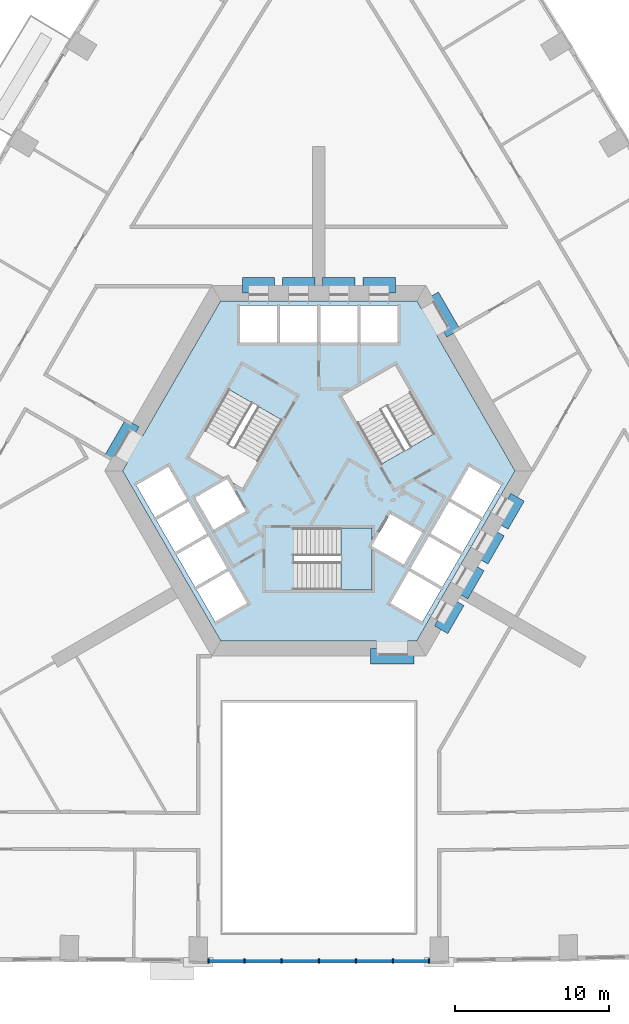
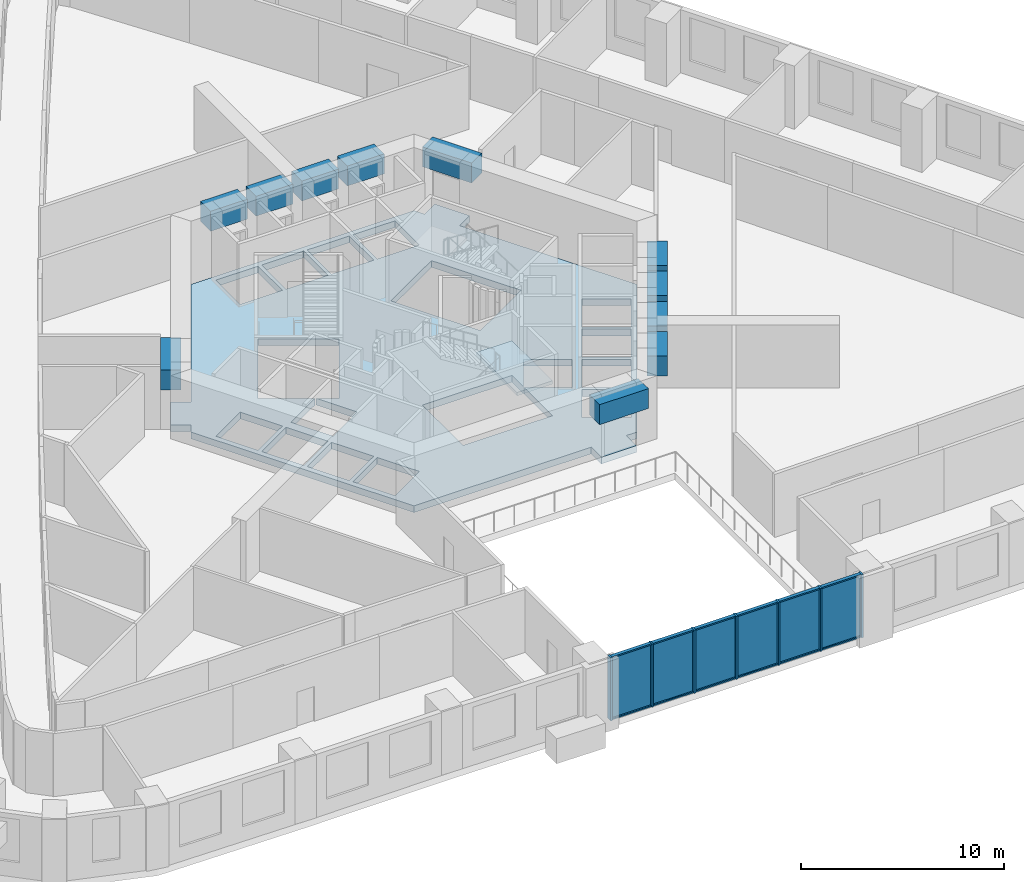
# One storey, part 2 of 16: 19 members, 11 beams, 6 plates, 2 slabs, 2 elements without a shape of their own.
"""IFC4 building model written with IfcOpenShell, lengths in metres."""

from ifc_helpers import new_model, si_unit, direction, frame, origin, origin_2d, place, context, subcontext, project, spatial, polyline, rectangle, outline, extrude, material, layer, layer_set, material_profile, profile_set, type_object, element, aggregate, save


model = new_model("IFC4")

# Units and contexts
model_context = context("Model", 3, precision=1e-05, world=origin(), true_north=direction((0.0, 1.0)))
body_context = subcontext(model_context, "Body", "Model", "MODEL_VIEW")
ifc_project = project(units=[si_unit("LENGTHUNIT", "METRE"), si_unit("AREAUNIT", "SQUARE_METRE"), si_unit("VOLUMEUNIT", "CUBIC_METRE"), si_unit("PLANEANGLEUNIT", "RADIAN"), si_unit("MASSUNIT", "GRAM", prefix="KILO")], contexts=[model_context])

# Site, building, storey
site_placement = place(None, origin())
site = spatial("IfcSite", under=ifc_project, at=site_placement, CompositionType="ELEMENT")
building_placement = place(site_placement, origin())
building = spatial("IfcBuilding", under=site, at=building_placement, Name="Entoto Arch Interchange Tower", CompositionType="ELEMENT")
storey_placement = place(building_placement, frame((0.0, 0.0, 68.60009765625)))
storey = spatial("IfcBuildingStorey", under=building, at=storey_placement, Name="L14", CompositionType="ELEMENT", Elevation=68.60009765625)

# Beams
ifc_material_1 = material(Name="Concrete C60/75", Category="concrete")
ifc_material_profile_1 = material_profile(ifc_material_1, rectangle(XDim=1.0, YDim=1.199951171875, at=origin_2d()))
ifc_profile_set_1 = profile_set([ifc_material_profile_1], Name="Concrete C60/75")
beam_type = type_object("IfcBeamType", Name="Coupling beam RC 1000x1200 C60/75", PredefinedType="BEAM", material=ifc_profile_set_1)
beam_1_placement = place(storey_placement, frame((8.717041015625, 11.402099609375, 3.0), z_axis=(-0.500200581029, 0.865909567298, 0.0), x_axis=(-0.865909567298, -0.500200581029, 0.0)))
element("IfcBeam", 1, at=beam_1_placement, inside=storey, type_object=beam_type, Name="Coupling beam NE L14", PredefinedType="BEAM", context=body_context, shape_type="SweptSolid", body=[
    extrude(rectangle(XDim=1.0, YDim=1.199951171875, at=origin_2d()), origin(), (0.0, 0.0, 1.0), 2.799072265625),
])
beam_2_placement = place(storey_placement, frame((4.949951171875, 14.5, 3.0), z_axis=(-1.0, 0.0, 0.0), x_axis=(0.0, -1.0, 0.0)))
element("IfcBeam", 2, at=beam_2_placement, inside=storey, type_object=beam_type, Name="Coupling beam N L14", PredefinedType="BEAM", context=body_context, shape_type="SweptSolid", body=[
    extrude(rectangle(XDim=1.0, YDim=1.199951171875, at=origin_2d()), origin(), (0.0, 0.0, 1.0), 2.099853515625),
])
for number, where, z_axis, x_axis, name in (
    (3, (2.35009765625, 14.5, 3.0), (-1.0, 0.0, 0.0), (0.0, -1.0, 0.0), "Coupling beam N L14"),
    (4, (-0.25, 14.5, 3.0), (-1.0, 0.0, 0.0), (0.0, -1.0, 0.0), "Coupling beam N L14"),
):
    element("IfcBeam", number, at=place(storey_placement, frame(where, z_axis=z_axis, x_axis=x_axis)), inside=storey, type_object=beam_type, Name=name, PredefinedType="BEAM", context=body_context, shape_type="SweptSolid", body=[
        extrude(rectangle(XDim=1.0, YDim=1.199951171875, at=origin_2d()), origin(), (0.0, 0.0, 1.0), 2.10009765625),
    ])
beam_3_placement = place(storey_placement, frame((-2.85009765625, 14.5, 3.0), z_axis=(-1.0, 0.0, 0.0), x_axis=(0.0, -1.0, 0.0)))
element("IfcBeam", 5, at=beam_3_placement, inside=storey, type_object=beam_type, Name="Coupling beam N L14", PredefinedType="BEAM", context=body_context, shape_type="SweptSolid", body=[
    extrude(rectangle(XDim=1.0, YDim=1.199951171875, at=origin_2d()), origin(), (0.0, 0.0, 1.0), 2.099853515625),
])
beam_4_placement = place(storey_placement, frame((-12.06689453125, 5.597900390625, 3.0), z_axis=(-0.500200581029, -0.865909567298, 0.0), x_axis=(0.865909567298, -0.500200581029, 0.0)))
element("IfcBeam", 6, at=beam_4_placement, inside=storey, type_object=beam_type, Name="Coupling beam NW L14", PredefinedType="BEAM", context=body_context, shape_type="SweptSolid", body=[
    extrude(rectangle(XDim=1.0, YDim=1.199951171875, at=origin_2d()), origin(), (0.0, 0.0, 1.0), 2.799072265625),
])
beam_5_placement = place(storey_placement, frame((3.35009765625, -9.5, 3.0), z_axis=(1.0, 0.0, 0.0), x_axis=(0.0, 1.0, 0.0)))
element("IfcBeam", 7, at=beam_5_placement, inside=storey, type_object=beam_type, Name="Coupling beam S L14", PredefinedType="BEAM", context=body_context, shape_type="SweptSolid", body=[
    extrude(rectangle(XDim=1.0, YDim=1.199951171875, at=origin_2d()), origin(), (0.0, 0.0, 1.0), 2.7998046875),
])
for number, where, z_axis, x_axis, name in (
    (8, (7.9169921875, -7.785888671875, 3.0), (0.500178781653, 0.865922159541, 0.0), (-0.865922159541, 0.500178781653, 0.0), "Coupling beam SE L14"),
    (9, (9.217041015625, -5.534912109375, 3.0), (0.500178781653, 0.865922159541, 0.0), (-0.865922159541, 0.500178781653, 0.0), "Coupling beam SE L14"),
):
    element("IfcBeam", number, at=place(storey_placement, frame(where, z_axis=z_axis, x_axis=x_axis)), inside=storey, type_object=beam_type, Name=name, PredefinedType="BEAM", context=body_context, shape_type="SweptSolid", body=[
        extrude(rectangle(XDim=1.0, YDim=1.199951171875, at=origin_2d()), origin(), (0.0, 0.0, 1.0), 2.099365234375),
    ])
beam_6_placement = place(storey_placement, frame((10.51708984375, -3.282958984375, 3.0), z_axis=(0.500091574638, 0.865972526687, 0.0), x_axis=(-0.865972526687, 0.500091574638, 0.0)))
element("IfcBeam", 10, at=beam_6_placement, inside=storey, type_object=beam_type, Name="Coupling beam SE L14", PredefinedType="BEAM", context=body_context, shape_type="SweptSolid", body=[
    extrude(rectangle(XDim=1.0, YDim=1.199951171875, at=origin_2d()), origin(), (0.0, 0.0, 1.0), 2.09912109375),
])
beam_7_placement = place(storey_placement, frame((11.81689453125, -1.031982421875, 3.0), z_axis=(0.500178781653, 0.865922159541, 0.0), x_axis=(-0.865922159541, 0.500178781653, 0.0)))
element("IfcBeam", 11, at=beam_7_placement, inside=storey, type_object=beam_type, Name="Coupling beam SE L14", PredefinedType="BEAM", context=body_context, shape_type="SweptSolid", body=[
    extrude(rectangle(XDim=1.0, YDim=1.199951171875, at=origin_2d()), origin(), (0.0, 0.0, 1.0), 2.099365234375),
])

# Curtain wall, members
ifc_material_2 = material(Name="Aluminium, anodised", Category="aluminium")
curtain_wall_type = type_object("IfcCurtainWallType", Name="CURTAIN WALL ATRIUM", PredefinedType="NOTDEFINED", material=ifc_material_2)
curtain_wall_placement = place(storey_placement, origin())
curtain_wall = element("IfcCurtainWall", 12, at=curtain_wall_placement, inside=storey, type_object=curtain_wall_type, Name="Atrium glazing S-04 L14", PredefinedType="NOTDEFINED")
ifc_material_profile_2 = material_profile(ifc_material_2, rectangle(XDim=0.300048828125, YDim=0.10009765625, at=origin_2d()))
ifc_profile_set_2 = profile_set([ifc_material_profile_2], Name="Aluminium, anodised")
member_type_1 = type_object("IfcMemberType", Name="MULLION ATRIUM 100x300", PredefinedType="MULLION", material=ifc_profile_set_2)
member_1_placement = place(storey_placement, frame((-7.14794921875, -29.236083984375, 0.0), z_axis=(0.0, 0.0, 1.0), x_axis=(0.0, 1.0, 0.0)))
member_1 = element("IfcMember", 13, at=member_1_placement, type_object=member_type_1, Name="CWA mullion 1", PredefinedType="MULLION", context=body_context, shape_type="SweptSolid", body=[
    extrude(rectangle(XDim=0.300048828125, YDim=0.10009765625, at=origin_2d()), origin(), (0.0, 0.0, 1.0), 3.7998046875),
])
member_2_placement = place(storey_placement, frame((-4.798583984375, -29.236083984375, 0.0), z_axis=(0.0, 0.0, 1.0), x_axis=(0.0, 1.0, 0.0)))
member_2 = element("IfcMember", 14, at=member_2_placement, type_object=member_type_1, Name="CWA mullion 2", PredefinedType="MULLION", context=body_context, shape_type="SweptSolid", body=[
    extrude(rectangle(XDim=0.300048828125, YDim=0.10009765625, at=origin_2d()), origin(), (0.0, 0.0, 1.0), 3.7998046875),
])
member_3_placement = place(storey_placement, frame((-2.3994140625, -29.236083984375, 0.0), z_axis=(0.0, 0.0, 1.0), x_axis=(0.0, 1.0, 0.0)))
member_3 = element("IfcMember", 15, at=member_3_placement, type_object=member_type_1, Name="CWA mullion 3", PredefinedType="MULLION", context=body_context, shape_type="SweptSolid", body=[
    extrude(rectangle(XDim=0.300048828125, YDim=0.10009765625, at=origin_2d()), origin(), (0.0, 0.0, 1.0), 3.7998046875),
])
member_4_placement = place(storey_placement, frame((0.0, -29.236083984375, 0.0), z_axis=(0.0, 0.0, 1.0), x_axis=(0.0, 1.0, 0.0)))
member_4 = element("IfcMember", 16, at=member_4_placement, type_object=member_type_1, Name="CWA mullion 4", PredefinedType="MULLION", context=body_context, shape_type="SweptSolid", body=[
    extrude(rectangle(XDim=0.300048828125, YDim=0.10009765625, at=origin_2d()), origin(), (0.0, 0.0, 1.0), 3.7998046875),
])
member_5_placement = place(storey_placement, frame((2.3994140625, -29.236083984375, 0.0), z_axis=(0.0, 0.0, 1.0), x_axis=(0.0, 1.0, 0.0)))
member_5 = element("IfcMember", 17, at=member_5_placement, type_object=member_type_1, Name="CWA mullion 5", PredefinedType="MULLION", context=body_context, shape_type="SweptSolid", body=[
    extrude(rectangle(XDim=0.300048828125, YDim=0.10009765625, at=origin_2d()), origin(), (0.0, 0.0, 1.0), 3.7998046875),
])
member_6_placement = place(storey_placement, frame((4.798583984375, -29.236083984375, 0.0), z_axis=(0.0, 0.0, 1.0), x_axis=(0.0, 1.0, 0.0)))
member_6 = element("IfcMember", 18, at=member_6_placement, type_object=member_type_1, Name="CWA mullion 6", PredefinedType="MULLION", context=body_context, shape_type="SweptSolid", body=[
    extrude(rectangle(XDim=0.300048828125, YDim=0.10009765625, at=origin_2d()), origin(), (0.0, 0.0, 1.0), 3.7998046875),
])
member_7_placement = place(storey_placement, frame((7.14794921875, -29.236083984375, 0.0), z_axis=(0.0, 0.0, 1.0), x_axis=(0.0, 1.0, 0.0)))
member_7 = element("IfcMember", 19, at=member_7_placement, type_object=member_type_1, Name="CWA mullion 7", PredefinedType="MULLION", context=body_context, shape_type="SweptSolid", body=[
    extrude(rectangle(XDim=0.300048828125, YDim=0.10009765625, at=origin_2d()), origin(), (0.0, 0.0, 1.0), 3.7998046875),
])
ifc_material_profile_3 = material_profile(ifc_material_2, rectangle(XDim=0.199951171875, YDim=0.080078125, at=origin_2d()))
ifc_profile_set_3 = profile_set([ifc_material_profile_3], Name="Aluminium, anodised")
member_type_2 = type_object("IfcMemberType", Name="TRANSOM ATRIUM 80x200", PredefinedType="USERDEFINED", material=ifc_profile_set_3)
member_8_placement = place(storey_placement, frame((-7.097900390625, -29.236083984375, 0.039794921875), z_axis=(1.0, 0.0, 0.0), x_axis=(0.0, 1.0, 0.0)))
member_8 = element("IfcMember", 20, at=member_8_placement, type_object=member_type_2, Name="CWA transom 1.1", ObjectType="TRANSOM", PredefinedType="USERDEFINED", context=body_context, shape_type="SweptSolid", body=[
    extrude(rectangle(XDim=0.199951171875, YDim=0.080078125, at=origin_2d()), origin(), (0.0, 0.0, 1.0), 2.249267578125),
])
member_9_placement = place(storey_placement, frame((-7.097900390625, -29.236083984375, 3.760009765625), z_axis=(1.0, 0.0, 0.0), x_axis=(0.0, 1.0, 0.0)))
member_9 = element("IfcMember", 21, at=member_9_placement, type_object=member_type_2, Name="CWA transom 1.2", ObjectType="TRANSOM", PredefinedType="USERDEFINED", context=body_context, shape_type="SweptSolid", body=[
    extrude(rectangle(XDim=0.199951171875, YDim=0.080078125, at=origin_2d()), origin(), (0.0, 0.0, 1.0), 2.249267578125),
])
member_10_placement = place(storey_placement, frame((-4.748779296875, -29.236083984375, 0.039794921875), z_axis=(1.0, 0.0, 0.0), x_axis=(0.0, 1.0, 0.0)))
member_10 = element("IfcMember", 22, at=member_10_placement, type_object=member_type_2, Name="CWA transom 2.1", ObjectType="TRANSOM", PredefinedType="USERDEFINED", context=body_context, shape_type="SweptSolid", body=[
    extrude(rectangle(XDim=0.199951171875, YDim=0.080078125, at=origin_2d()), origin(), (0.0, 0.0, 1.0), 2.299560546875),
])
member_11_placement = place(storey_placement, frame((-4.748779296875, -29.236083984375, 3.760009765625), z_axis=(1.0, 0.0, 0.0), x_axis=(0.0, 1.0, 0.0)))
member_11 = element("IfcMember", 23, at=member_11_placement, type_object=member_type_2, Name="CWA transom 2.2", ObjectType="TRANSOM", PredefinedType="USERDEFINED", context=body_context, shape_type="SweptSolid", body=[
    extrude(rectangle(XDim=0.199951171875, YDim=0.080078125, at=origin_2d()), origin(), (0.0, 0.0, 1.0), 2.299560546875),
])
member_12_placement = place(storey_placement, frame((-2.349365234375, -29.236083984375, 0.039794921875), z_axis=(1.0, 0.0, 0.0), x_axis=(0.0, 1.0, 0.0)))
member_12 = element("IfcMember", 24, at=member_12_placement, type_object=member_type_2, Name="CWA transom 3.1", ObjectType="TRANSOM", PredefinedType="USERDEFINED", context=body_context, shape_type="SweptSolid", body=[
    extrude(rectangle(XDim=0.199951171875, YDim=0.080078125, at=origin_2d()), origin(), (0.0, 0.0, 1.0), 2.29931640625),
])
member_13_placement = place(storey_placement, frame((-2.349365234375, -29.236083984375, 3.760009765625), z_axis=(1.0, 0.0, 0.0), x_axis=(0.0, 1.0, 0.0)))
member_13 = element("IfcMember", 25, at=member_13_placement, type_object=member_type_2, Name="CWA transom 3.2", ObjectType="TRANSOM", PredefinedType="USERDEFINED", context=body_context, shape_type="SweptSolid", body=[
    extrude(rectangle(XDim=0.199951171875, YDim=0.080078125, at=origin_2d()), origin(), (0.0, 0.0, 1.0), 2.29931640625),
])
member_14_placement = place(storey_placement, frame((0.050048828125, -29.236083984375, 0.039794921875), z_axis=(1.0, 0.0, 0.0), x_axis=(0.0, 1.0, 0.0)))
member_14 = element("IfcMember", 26, at=member_14_placement, type_object=member_type_2, Name="CWA transom 4.1", ObjectType="TRANSOM", PredefinedType="USERDEFINED", context=body_context, shape_type="SweptSolid", body=[
    extrude(rectangle(XDim=0.199951171875, YDim=0.080078125, at=origin_2d()), origin(), (0.0, 0.0, 1.0), 2.29931640625),
])
member_15_placement = place(storey_placement, frame((0.050048828125, -29.236083984375, 3.760009765625), z_axis=(1.0, 0.0, 0.0), x_axis=(0.0, 1.0, 0.0)))
member_15 = element("IfcMember", 27, at=member_15_placement, type_object=member_type_2, Name="CWA transom 4.2", ObjectType="TRANSOM", PredefinedType="USERDEFINED", context=body_context, shape_type="SweptSolid", body=[
    extrude(rectangle(XDim=0.199951171875, YDim=0.080078125, at=origin_2d()), origin(), (0.0, 0.0, 1.0), 2.29931640625),
])
member_16_placement = place(storey_placement, frame((2.44921875, -29.236083984375, 0.039794921875), z_axis=(1.0, 0.0, 0.0), x_axis=(0.0, 1.0, 0.0)))
member_16 = element("IfcMember", 28, at=member_16_placement, type_object=member_type_2, Name="CWA transom 5.1", ObjectType="TRANSOM", PredefinedType="USERDEFINED", context=body_context, shape_type="SweptSolid", body=[
    extrude(rectangle(XDim=0.199951171875, YDim=0.080078125, at=origin_2d()), origin(), (0.0, 0.0, 1.0), 2.299560546875),
])
member_17_placement = place(storey_placement, frame((2.44921875, -29.236083984375, 3.760009765625), z_axis=(1.0, 0.0, 0.0), x_axis=(0.0, 1.0, 0.0)))
member_17 = element("IfcMember", 29, at=member_17_placement, type_object=member_type_2, Name="CWA transom 5.2", ObjectType="TRANSOM", PredefinedType="USERDEFINED", context=body_context, shape_type="SweptSolid", body=[
    extrude(rectangle(XDim=0.199951171875, YDim=0.080078125, at=origin_2d()), origin(), (0.0, 0.0, 1.0), 2.299560546875),
])
member_18_placement = place(storey_placement, frame((4.8486328125, -29.236083984375, 0.039794921875), z_axis=(1.0, 0.0, 0.0), x_axis=(0.0, 1.0, 0.0)))
member_18 = element("IfcMember", 30, at=member_18_placement, type_object=member_type_2, Name="CWA transom 6.1", ObjectType="TRANSOM", PredefinedType="USERDEFINED", context=body_context, shape_type="SweptSolid", body=[
    extrude(rectangle(XDim=0.199951171875, YDim=0.080078125, at=origin_2d()), origin(), (0.0, 0.0, 1.0), 2.249267578125),
])
member_19_placement = place(storey_placement, frame((4.8486328125, -29.236083984375, 3.760009765625), z_axis=(1.0, 0.0, 0.0), x_axis=(0.0, 1.0, 0.0)))
member_19 = element("IfcMember", 31, at=member_19_placement, type_object=member_type_2, Name="CWA transom 6.2", ObjectType="TRANSOM", PredefinedType="USERDEFINED", context=body_context, shape_type="SweptSolid", body=[
    extrude(rectangle(XDim=0.199951171875, YDim=0.080078125, at=origin_2d()), origin(), (0.0, 0.0, 1.0), 2.249267578125),
])

# Slab
ifc_material_3 = material(Name="Concrete C40/50", Category="concrete")
ifc_layer_1 = layer(ifc_material_3, 0.39990234375)
ifc_layer_set_1 = layer_set([ifc_layer_1], Name="Concrete C40/50")
slab_type_1 = type_object("IfcSlabType", Name="Core floor slab 400 C40/50", PredefinedType="FLOOR", material=ifc_layer_set_1)
slab_1_placement = place(storey_placement, frame((0.0, 0.0, -0.400146484375)))
element("IfcSlab", 32, at=slab_1_placement, inside=storey, type_object=slab_type_1, Name="Core floor slab L14", PredefinedType="FLOOR", context=body_context, shape_type="SweptSolid", body=[
    extrude(outline(polyline([(5.75, -9.5), (3.75, -9.5), (3.75, -8.5), (-6.35107421875, -8.5), (-12.701904296875, 2.5), (-12.402099609375, 3.02001953125), (-13.26708984375, 3.52001953125), (-12.26708984375, 5.251953125), (-11.402099609375, 4.751953125), (-6.35107421875, 13.5), (6.35107421875, 13.5), (6.65087890625, 12.97998046875), (7.51708984375, 13.47998046875), (8.51708984375, 11.748046875), (7.65087890625, 11.248046875), (12.701904296875, 2.5), (6.35107421875, -8.5), (5.75, -8.5), (5.75, -9.5)]), holes=[polyline([(-4.637939453125, -6.06689453125), (-5.837890625, -3.988037109375), (-7.916015625, -5.18798828125), (-6.716064453125, -7.26708984375), (-4.637939453125, -6.06689453125)]), polyline([(-5.93798828125, -3.81494140625), (-7.137939453125, -1.737060546875), (-9.216064453125, -2.93701171875), (-8.01611328125, -5.014892578125), (-5.93798828125, -3.81494140625)]), polyline([(5.5048828125, -3.56494140625), (6.705078125, -1.487060546875), (4.626953125, -0.287109375), (3.449951171875, -2.324951171875), (3.449951171875, -1.199951171875), (-1.64990234375, -1.199951171875), (-1.64990234375, -5.199951171875), (3.449951171875, -5.199951171875), (3.449951171875, -2.3779296875), (5.5048828125, -3.56494140625)]), polyline([(-7.238037109375, -1.56298828125), (-8.43798828125, 0.514892578125), (-10.51611328125, -0.68505859375), (-9.31591796875, -2.762939453125), (-7.238037109375, -1.56298828125)]), polyline([(-4.72705078125, -0.113037109375), (-5.904052734375, 1.925048828125), (-4.928955078125, 1.362060546875), (-2.37890625, 5.779052734375), (-5.843017578125, 7.779052734375), (-8.39306640625, 3.362060546875), (-5.949951171875, 1.951904296875), (-8.0048828125, 0.764892578125), (-6.804931640625, -1.31298828125), (-4.72705078125, -0.113037109375)]), polyline([(-8.5380859375, 0.68798828125), (-9.738037109375, 2.76708984375), (-11.81591796875, 1.56689453125), (-10.615966796875, -0.511962890625), (-8.5380859375, 0.68798828125)]), polyline([(-5.10009765625, 10.800048828125), (-2.699951171875, 10.800048828125), (-2.699951171875, 13.199951171875), (-5.10009765625, 13.199951171875), (-5.10009765625, 10.800048828125)]), polyline([(-2.5, 10.800048828125), (-0.10009765625, 10.800048828125), (-0.10009765625, 13.199951171875), (-2.5, 13.199951171875), (-2.5, 10.800048828125)]), polyline([(5.837890625, -3.988037109375), (4.637939453125, -6.06689453125), (6.716064453125, -7.26708984375), (7.916015625, -5.18798828125), (5.837890625, -3.988037109375)]), polyline([(7.137939453125, -1.737060546875), (5.93798828125, -3.81494140625), (8.01611328125, -5.014892578125), (9.216064453125, -2.93701171875), (7.137939453125, -1.737060546875)]), polyline([(8.43798828125, 0.514892578125), (7.238037109375, -1.56298828125), (9.31591796875, -2.762939453125), (10.51611328125, -0.68505859375), (8.43798828125, 0.514892578125)]), polyline([(9.738037109375, 2.76708984375), (8.5380859375, 0.68798828125), (10.615966796875, -0.511962890625), (11.81591796875, 1.56689453125), (9.738037109375, 2.76708984375)]), polyline([(4.029052734375, 2.9208984375), (7.492919921875, 4.9208984375), (4.943115234375, 9.337890625), (1.47900390625, 7.337890625), (4.029052734375, 2.9208984375)]), polyline([(0.10009765625, 13.199951171875), (0.10009765625, 10.800048828125), (2.5, 10.800048828125), (2.5, 13.199951171875), (0.10009765625, 13.199951171875)]), polyline([(2.699951171875, 13.199951171875), (2.699951171875, 10.800048828125), (5.10009765625, 10.800048828125), (5.10009765625, 13.199951171875), (2.699951171875, 13.199951171875)])]), origin(), (0.0, 0.0, 1.0), 0.400146484375),
])

# Stair, slab
stair_type = type_object("IfcStairType", Name="EXIT STAIR RC 1800", PredefinedType="HALF_TURN_STAIR", material=ifc_material_3)
stair_placement = place(storey_placement, origin())
stair = element("IfcStair", 33, at=stair_placement, inside=storey, type_object=stair_type, Name="L14 Exit stair S", PredefinedType="HALF_TURN_STAIR")
ifc_layer_2 = layer(ifc_material_3, 0.199951171875)
ifc_layer_set_2 = layer_set([ifc_layer_2], Name="Concrete C40/50")
slab_type_2 = type_object("IfcSlabType", Name="EXIT STAIR LANDING RC 200", PredefinedType="LANDING", material=ifc_layer_set_2)
slab_2_placement = place(storey_placement, frame((0.0, 0.0, 1.89990234375)))
slab_2 = element("IfcSlab", 34, at=slab_2_placement, type_object=slab_type_2, Name="ST-S landing 1", PredefinedType="LANDING", context=body_context, shape_type="SweptSolid", body=[
    extrude(outline(polyline([(1.429931640625, -5.199951171875), (3.449951171875, -5.199951171875), (3.449951171875, -1.199951171875), (1.429931640625, -1.199951171875), (1.429931640625, -5.199951171875)])), origin(), (0.0, 0.0, 1.0), 0.199951171875),
])
aggregate(stair, [slab_2])

# Plate
ifc_material_4 = material(Name="Clear glass, low-e double glazed", Category="glass")
ifc_layer_3 = layer(ifc_material_4, 0.031982421875)
ifc_layer_set_3 = layer_set([ifc_layer_3], Name="Clear glass, low-e double glazed")
plate_type = type_object("IfcPlateType", Name="GLAZING PANEL ATRIUM 32", PredefinedType="CURTAIN_PANEL", material=ifc_layer_set_3)
plate_1_placement = place(storey_placement, frame((-5.973388671875, -29.236083984375, 0.080078125), z_axis=(0.0, 0.0, 1.0), x_axis=(1.0, 0.0, 0.0)))
plate_1 = element("IfcPlate", 35, at=plate_1_placement, type_object=plate_type, Name="CWA panel 1.1", PredefinedType="CURTAIN_PANEL", context=body_context, shape_type="SweptSolid", body=[
    extrude(rectangle(XDim=2.249267578125, YDim=0.031982421875, at=origin_2d()), origin(), (0.0, 0.0, 1.0), 3.639892578125),
])

plate_2_placement = place(storey_placement, frame((-3.59912109375, -29.236083984375, 0.080078125), z_axis=(0.0, 0.0, 1.0), x_axis=(1.0, 0.0, 0.0)))
plate_2 = element("IfcPlate", 36, at=plate_2_placement, type_object=plate_type, Name="CWA panel 2.1", PredefinedType="CURTAIN_PANEL", context=body_context, shape_type="SweptSolid", body=[
    extrude(rectangle(XDim=2.29931640625, YDim=0.031982421875, at=origin_2d()), origin(), (0.0, 0.0, 1.0), 3.639892578125),
])

plate_3_placement = place(storey_placement, frame((-1.19970703125, -29.236083984375, 0.080078125), z_axis=(0.0, 0.0, 1.0), x_axis=(1.0, 0.0, 0.0)))
plate_3 = element("IfcPlate", 37, at=plate_3_placement, type_object=plate_type, Name="CWA panel 3.1", PredefinedType="CURTAIN_PANEL", context=body_context, shape_type="SweptSolid", body=[
    extrude(rectangle(XDim=2.29931640625, YDim=0.031982421875, at=origin_2d()), origin(), (0.0, 0.0, 1.0), 3.639892578125),
])

plate_4_placement = place(storey_placement, frame((1.19970703125, -29.236083984375, 0.080078125), z_axis=(0.0, 0.0, 1.0), x_axis=(1.0, 0.0, 0.0)))
plate_4 = element("IfcPlate", 38, at=plate_4_placement, type_object=plate_type, Name="CWA panel 4.1", PredefinedType="CURTAIN_PANEL", context=body_context, shape_type="SweptSolid", body=[
    extrude(rectangle(XDim=2.29931640625, YDim=0.031982421875, at=origin_2d()), origin(), (0.0, 0.0, 1.0), 3.639892578125),
])

plate_5_placement = place(storey_placement, frame((3.59912109375, -29.236083984375, 0.080078125), z_axis=(0.0, 0.0, 1.0), x_axis=(1.0, 0.0, 0.0)))
plate_5 = element("IfcPlate", 39, at=plate_5_placement, type_object=plate_type, Name="CWA panel 5.1", PredefinedType="CURTAIN_PANEL", context=body_context, shape_type="SweptSolid", body=[
    extrude(rectangle(XDim=2.29931640625, YDim=0.031982421875, at=origin_2d()), origin(), (0.0, 0.0, 1.0), 3.639892578125),
])

plate_6_placement = place(storey_placement, frame((5.973388671875, -29.236083984375, 0.080078125), z_axis=(0.0, 0.0, 1.0), x_axis=(1.0, 0.0, 0.0)))
plate_6 = element("IfcPlate", 40, at=plate_6_placement, type_object=plate_type, Name="CWA panel 6.1", PredefinedType="CURTAIN_PANEL", context=body_context, shape_type="SweptSolid", body=[
    extrude(rectangle(XDim=2.249267578125, YDim=0.031982421875, at=origin_2d()), origin(), (0.0, 0.0, 1.0), 3.639892578125),
])

aggregate(curtain_wall, [member_1, member_2, member_3, member_4, member_5, member_6, member_7, member_8, member_9, plate_1, member_10, member_11, plate_2, member_12, member_13, plate_3, member_14, member_15, plate_4, member_16, member_17, plate_5, member_18, member_19, plate_6])

save(model, "model.ifc")
